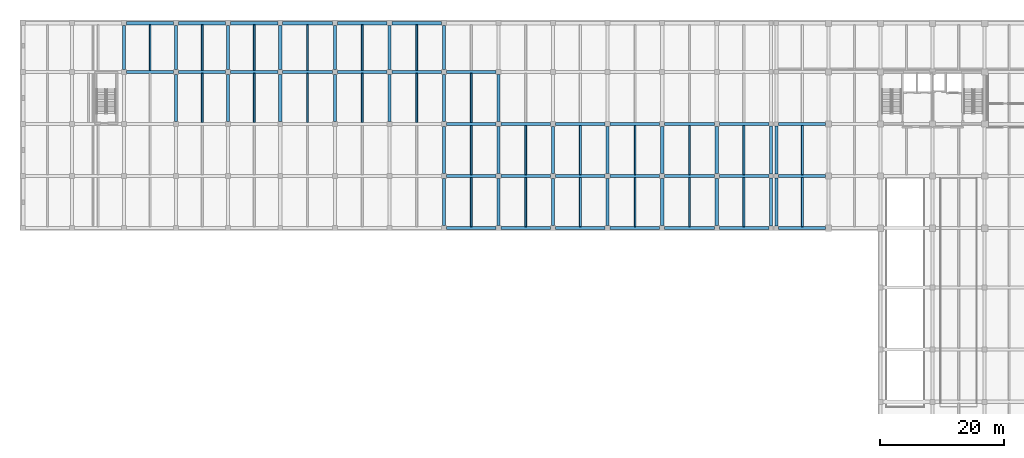
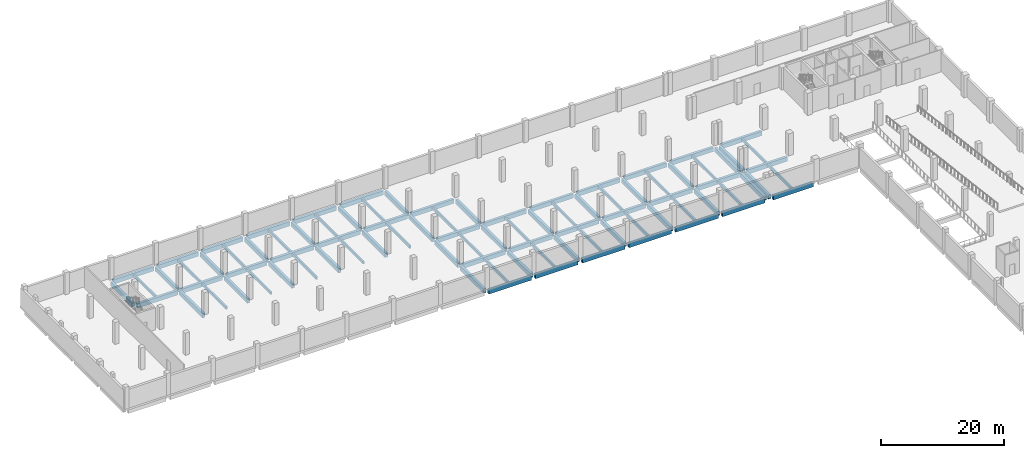
# One storey, part 5 of 17: 90 beams.
"""IFC4 building model written with IfcOpenShell, lengths in metres."""

from ifc_helpers import new_model, si_unit, direction, frame, origin, origin_2d, place, context, subcontext, project, spatial, rectangle, extrude, material, material_profile, profile_set, type_object, element, save


model = new_model("IFC4")

# Units and contexts
model_context = context("Model", 3, precision=1e-05, world=origin(), true_north=direction((0.0, 1.0)))
body_context = subcontext(model_context, "Body", "Model", "MODEL_VIEW")
ifc_project = project(units=[si_unit("LENGTHUNIT", "METRE"), si_unit("AREAUNIT", "SQUARE_METRE"), si_unit("VOLUMEUNIT", "CUBIC_METRE"), si_unit("PLANEANGLEUNIT", "RADIAN"), si_unit("MASSUNIT", "GRAM", prefix="KILO")], contexts=[model_context])

# Site, building, storey
site_placement = place(None, origin())
site = spatial("IfcSite", under=ifc_project, at=site_placement, CompositionType="ELEMENT")
building_placement = place(site_placement, origin())
building = spatial("IfcBuilding", under=site, at=building_placement, Name="Brinegate Botanical Conservatory", CompositionType="ELEMENT")
storey_placement = place(building_placement, frame((0.0, 0.0, -4.800048828125)))
storey = spatial("IfcBuildingStorey", under=building, at=storey_placement, Name="B1", CompositionType="ELEMENT", Elevation=-4.800048828125)

# Beams
ifc_material = material(Name="Concrete C40/50", Category="concrete")
ifc_material_profile_1 = material_profile(ifc_material, rectangle(XDim=0.5, YDim=0.85009765625, at=origin_2d()), Name="RC BM 500x850")
ifc_profile_set_1 = profile_set([ifc_material_profile_1], Name="Concrete C40/50")
beam_type_1 = type_object("IfcBeamType", Name="Beam_BM-B1", PredefinedType="BEAM", material=ifc_profile_set_1)
for number, where, z_axis, x_axis, name in (
    (1, (68.800048828125, 78.39990234375, -0.744873046875), (1.0, 0.0, 0.0), (0.0, 1.0, 0.0), "Beam BM-B1 B1 K:9-10"),
    (2, (77.60009765625, 78.39990234375, -0.744873046875), (1.0, 0.0, 0.0), (0.0, 1.0, 0.0), "Beam BM-B1 B1 K:10-11"),
    (3, (86.39990234375, 78.39990234375, -0.744873046875), (1.0, 0.0, 0.0), (0.0, 1.0, 0.0), "Beam BM-B1 B1 K:11-12"),
    (4, (95.199951171875, 78.39990234375, -0.744873046875), (1.0, 0.0, 0.0), (0.0, 1.0, 0.0), "Beam BM-B1 B1 K:12-13"),
    (5, (104.0, 78.39990234375, -0.744873046875), (1.0, 0.0, 0.0), (0.0, 1.0, 0.0), "Beam BM-B1 B1 K:13-14"),
    (6, (112.800048828125, 78.39990234375, -0.744873046875), (1.0, 0.0, 0.0), (0.0, 1.0, 0.0), "Beam BM-B1 B1 K:14-15"),
):
    element("IfcBeam", number, at=place(storey_placement, frame(where, z_axis=z_axis, x_axis=x_axis)), inside=storey, type_object=beam_type_1, Name=name, PredefinedType="BEAM", context=body_context, shape_type="SweptSolid", body=[
        extrude(rectangle(XDim=0.5, YDim=0.85009765625, at=origin_2d()), origin(), (0.0, 0.0, 1.0), 8.0),
    ])
beam_1_placement = place(storey_placement, frame((122.35009765625, 78.39990234375, -0.744873046875), z_axis=(1.0, 0.0, 0.0), x_axis=(0.0, 1.0, 0.0)))
element("IfcBeam", 7, at=beam_1_placement, inside=storey, type_object=beam_type_1, Name="Beam BM-B1 B1 K:16-17", PredefinedType="BEAM", context=body_context, shape_type="SweptSolid", body=[
    extrude(rectangle(XDim=0.5, YDim=0.85009765625, at=origin_2d()), origin(), (0.0, 0.0, 1.0), 7.5498046875),
])
for number, where, z_axis, x_axis, name in (
    (8, (68.800048828125, 86.800048828125, -0.744873046875), (1.0, 0.0, 0.0), (0.0, 1.0, 0.0), "Beam BM-B1 B1 L:9-10"),
    (9, (77.60009765625, 86.800048828125, -0.744873046875), (1.0, 0.0, 0.0), (0.0, 1.0, 0.0), "Beam BM-B1 B1 L:10-11"),
    (10, (86.39990234375, 86.800048828125, -0.744873046875), (1.0, 0.0, 0.0), (0.0, 1.0, 0.0), "Beam BM-B1 B1 L:11-12"),
    (11, (95.199951171875, 86.800048828125, -0.744873046875), (1.0, 0.0, 0.0), (0.0, 1.0, 0.0), "Beam BM-B1 B1 L:12-13"),
    (12, (104.0, 86.800048828125, -0.744873046875), (1.0, 0.0, 0.0), (0.0, 1.0, 0.0), "Beam BM-B1 B1 L:13-14"),
    (13, (112.800048828125, 86.800048828125, -0.744873046875), (1.0, 0.0, 0.0), (0.0, 1.0, 0.0), "Beam BM-B1 B1 L:14-15"),
):
    element("IfcBeam", number, at=place(storey_placement, frame(where, z_axis=z_axis, x_axis=x_axis)), inside=storey, type_object=beam_type_1, Name=name, PredefinedType="BEAM", context=body_context, shape_type="SweptSolid", body=[
        extrude(rectangle(XDim=0.5, YDim=0.85009765625, at=origin_2d()), origin(), (0.0, 0.0, 1.0), 8.0),
    ])
beam_2_placement = place(storey_placement, frame((122.35009765625, 86.800048828125, -0.744873046875), z_axis=(1.0, 0.0, 0.0), x_axis=(0.0, 1.0, 0.0)))
element("IfcBeam", 14, at=beam_2_placement, inside=storey, type_object=beam_type_1, Name="Beam BM-B1 B1 L:16-17", PredefinedType="BEAM", context=body_context, shape_type="SweptSolid", body=[
    extrude(rectangle(XDim=0.5, YDim=0.85009765625, at=origin_2d()), origin(), (0.0, 0.0, 1.0), 7.5498046875),
])
for number, where, z_axis, x_axis, name in (
    (15, (68.800048828125, 95.199951171875, -0.744873046875), (1.0, 0.0, 0.0), (0.0, 1.0, 0.0), "Beam BM-B1 B1 M:9-10"),
    (16, (77.60009765625, 95.199951171875, -0.744873046875), (1.0, 0.0, 0.0), (0.0, 1.0, 0.0), "Beam BM-B1 B1 M:10-11"),
    (17, (86.39990234375, 95.199951171875, -0.744873046875), (1.0, 0.0, 0.0), (0.0, 1.0, 0.0), "Beam BM-B1 B1 M:11-12"),
    (18, (95.199951171875, 95.199951171875, -0.744873046875), (1.0, 0.0, 0.0), (0.0, 1.0, 0.0), "Beam BM-B1 B1 M:12-13"),
    (19, (104.0, 95.199951171875, -0.744873046875), (1.0, 0.0, 0.0), (0.0, 1.0, 0.0), "Beam BM-B1 B1 M:13-14"),
    (20, (112.800048828125, 95.199951171875, -0.744873046875), (1.0, 0.0, 0.0), (0.0, 1.0, 0.0), "Beam BM-B1 B1 M:14-15"),
):
    element("IfcBeam", number, at=place(storey_placement, frame(where, z_axis=z_axis, x_axis=x_axis)), inside=storey, type_object=beam_type_1, Name=name, PredefinedType="BEAM", context=body_context, shape_type="SweptSolid", body=[
        extrude(rectangle(XDim=0.5, YDim=0.85009765625, at=origin_2d()), origin(), (0.0, 0.0, 1.0), 8.0),
    ])
beam_3_placement = place(storey_placement, frame((122.35009765625, 95.199951171875, -0.744873046875), z_axis=(1.0, 0.0, 0.0), x_axis=(0.0, 1.0, 0.0)))
element("IfcBeam", 21, at=beam_3_placement, inside=storey, type_object=beam_type_1, Name="Beam BM-B1 B1 M:16-17", PredefinedType="BEAM", context=body_context, shape_type="SweptSolid", body=[
    extrude(rectangle(XDim=0.5, YDim=0.85009765625, at=origin_2d()), origin(), (0.0, 0.0, 1.0), 7.5498046875),
])
beam_4_placement = place(storey_placement, frame((17.199951171875, 103.60009765625, -0.744873046875), z_axis=(1.0, 0.0, 0.0), x_axis=(0.0, 1.0, 0.0)))
element("IfcBeam", 22, at=beam_4_placement, inside=storey, type_object=beam_type_1, Name="Beam BM-B1 B1 N:3-4", PredefinedType="BEAM", context=body_context, shape_type="SweptSolid", body=[
    extrude(rectangle(XDim=0.5, YDim=0.85009765625, at=origin_2d()), origin(), (0.0, 0.0, 1.0), 7.60009765625),
])
beam_5_placement = place(storey_placement, frame((25.60009765625, 103.60009765625, -0.744873046875), z_axis=(1.0, 0.0, 0.0), x_axis=(0.0, 1.0, 0.0)))
element("IfcBeam", 23, at=beam_5_placement, inside=storey, type_object=beam_type_1, Name="Beam BM-B1 B1 N:4-5", PredefinedType="BEAM", context=body_context, shape_type="SweptSolid", body=[
    extrude(rectangle(XDim=0.5, YDim=0.85009765625, at=origin_2d()), origin(), (0.0, 0.0, 1.0), 7.599853515625),
])
beam_6_placement = place(storey_placement, frame((34.0, 103.60009765625, -0.744873046875), z_axis=(1.0, 0.0, 0.0), x_axis=(0.0, 1.0, 0.0)))
element("IfcBeam", 24, at=beam_6_placement, inside=storey, type_object=beam_type_1, Name="Beam BM-B1 B1 N:5-6", PredefinedType="BEAM", context=body_context, shape_type="SweptSolid", body=[
    extrude(rectangle(XDim=0.5, YDim=0.85009765625, at=origin_2d()), origin(), (0.0, 0.0, 1.0), 7.60009765625),
])
for number, where, z_axis, x_axis, name in (
    (25, (42.39990234375, 103.60009765625, -0.744873046875), (1.0, 0.0, 0.0), (0.0, 1.0, 0.0), "Beam BM-B1 B1 N:6-7"),
    (26, (51.199951171875, 103.60009765625, -0.744873046875), (1.0, 0.0, 0.0), (0.0, 1.0, 0.0), "Beam BM-B1 B1 N:7-8"),
    (27, (60.0, 103.60009765625, -0.744873046875), (1.0, 0.0, 0.0), (0.0, 1.0, 0.0), "Beam BM-B1 B1 N:8-9"),
    (28, (68.800048828125, 103.60009765625, -0.744873046875), (1.0, 0.0, 0.0), (0.0, 1.0, 0.0), "Beam BM-B1 B1 N:9-10"),
):
    element("IfcBeam", number, at=place(storey_placement, frame(where, z_axis=z_axis, x_axis=x_axis)), inside=storey, type_object=beam_type_1, Name=name, PredefinedType="BEAM", context=body_context, shape_type="SweptSolid", body=[
        extrude(rectangle(XDim=0.5, YDim=0.85009765625, at=origin_2d()), origin(), (0.0, 0.0, 1.0), 8.0),
    ])
beam_7_placement = place(storey_placement, frame((17.199951171875, 111.449951171875, -0.744873046875), z_axis=(1.0, 0.0, 0.0), x_axis=(0.0, 1.0, 0.0)))
element("IfcBeam", 29, at=beam_7_placement, inside=storey, type_object=beam_type_1, Name="Beam BM-B1 B1 P:3-4", PredefinedType="BEAM", context=body_context, shape_type="SweptSolid", body=[
    extrude(rectangle(XDim=0.5, YDim=0.85009765625, at=origin_2d()), origin(), (0.0, 0.0, 1.0), 7.60009765625),
])
beam_8_placement = place(storey_placement, frame((25.60009765625, 111.449951171875, -0.744873046875), z_axis=(1.0, 0.0, 0.0), x_axis=(0.0, 1.0, 0.0)))
element("IfcBeam", 30, at=beam_8_placement, inside=storey, type_object=beam_type_1, Name="Beam BM-B1 B1 P:4-5", PredefinedType="BEAM", context=body_context, shape_type="SweptSolid", body=[
    extrude(rectangle(XDim=0.5, YDim=0.85009765625, at=origin_2d()), origin(), (0.0, 0.0, 1.0), 7.599853515625),
])
beam_9_placement = place(storey_placement, frame((34.0, 111.449951171875, -0.744873046875), z_axis=(1.0, 0.0, 0.0), x_axis=(0.0, 1.0, 0.0)))
element("IfcBeam", 31, at=beam_9_placement, inside=storey, type_object=beam_type_1, Name="Beam BM-B1 B1 P:5-6", PredefinedType="BEAM", context=body_context, shape_type="SweptSolid", body=[
    extrude(rectangle(XDim=0.5, YDim=0.85009765625, at=origin_2d()), origin(), (0.0, 0.0, 1.0), 7.60009765625),
])
for number, where, z_axis, x_axis, name in (
    (32, (42.39990234375, 111.449951171875, -0.744873046875), (1.0, 0.0, 0.0), (0.0, 1.0, 0.0), "Beam BM-B1 B1 P:6-7"),
    (33, (51.199951171875, 111.449951171875, -0.744873046875), (1.0, 0.0, 0.0), (0.0, 1.0, 0.0), "Beam BM-B1 B1 P:7-8"),
    (34, (60.0, 111.449951171875, -0.744873046875), (1.0, 0.0, 0.0), (0.0, 1.0, 0.0), "Beam BM-B1 B1 P:8-9"),
):
    element("IfcBeam", number, at=place(storey_placement, frame(where, z_axis=z_axis, x_axis=x_axis)), inside=storey, type_object=beam_type_1, Name=name, PredefinedType="BEAM", context=body_context, shape_type="SweptSolid", body=[
        extrude(rectangle(XDim=0.5, YDim=0.85009765625, at=origin_2d()), origin(), (0.0, 0.0, 1.0), 8.0),
    ])
beam_10_placement = place(storey_placement, frame((16.800048828125, 104.0, -0.744873046875), z_axis=(0.0, 1.0, 0.0), x_axis=(-1.0, 0.0, 0.0)))
element("IfcBeam", 35, at=beam_10_placement, inside=storey, type_object=beam_type_1, Name="Beam BM-B1 B1 3:N-P", PredefinedType="BEAM", context=body_context, shape_type="SweptSolid", body=[
    extrude(rectangle(XDim=0.5, YDim=0.85009765625, at=origin_2d()), origin(), (0.0, 0.0, 1.0), 7.050048828125),
])
beam_11_placement = place(storey_placement, frame((25.199951171875, 95.60009765625, -0.744873046875), z_axis=(0.0, 1.0, 0.0), x_axis=(-1.0, 0.0, 0.0)))
element("IfcBeam", 36, at=beam_11_placement, inside=storey, type_object=beam_type_1, Name="Beam BM-B1 B1 4:M-N", PredefinedType="BEAM", context=body_context, shape_type="SweptSolid", body=[
    extrude(rectangle(XDim=0.5, YDim=0.85009765625, at=origin_2d()), origin(), (0.0, 0.0, 1.0), 7.599853515625),
])
beam_12_placement = place(storey_placement, frame((25.199951171875, 104.0, -0.744873046875), z_axis=(0.0, 1.0, 0.0), x_axis=(-1.0, 0.0, 0.0)))
element("IfcBeam", 37, at=beam_12_placement, inside=storey, type_object=beam_type_1, Name="Beam BM-B1 B1 4:N-P", PredefinedType="BEAM", context=body_context, shape_type="SweptSolid", body=[
    extrude(rectangle(XDim=0.5, YDim=0.85009765625, at=origin_2d()), origin(), (0.0, 0.0, 1.0), 7.050048828125),
])
beam_13_placement = place(storey_placement, frame((33.60009765625, 95.60009765625, -0.744873046875), z_axis=(0.0, 1.0, 0.0), x_axis=(-1.0, 0.0, 0.0)))
element("IfcBeam", 38, at=beam_13_placement, inside=storey, type_object=beam_type_1, Name="Beam BM-B1 B1 5:M-N", PredefinedType="BEAM", context=body_context, shape_type="SweptSolid", body=[
    extrude(rectangle(XDim=0.5, YDim=0.85009765625, at=origin_2d()), origin(), (0.0, 0.0, 1.0), 7.599853515625),
])
beam_14_placement = place(storey_placement, frame((33.60009765625, 104.0, -0.744873046875), z_axis=(0.0, 1.0, 0.0), x_axis=(-1.0, 0.0, 0.0)))
element("IfcBeam", 39, at=beam_14_placement, inside=storey, type_object=beam_type_1, Name="Beam BM-B1 B1 5:N-P", PredefinedType="BEAM", context=body_context, shape_type="SweptSolid", body=[
    extrude(rectangle(XDim=0.5, YDim=0.85009765625, at=origin_2d()), origin(), (0.0, 0.0, 1.0), 7.050048828125),
])
beam_15_placement = place(storey_placement, frame((42.0, 95.60009765625, -0.744873046875), z_axis=(0.0, 1.0, 0.0), x_axis=(-1.0, 0.0, 0.0)))
element("IfcBeam", 40, at=beam_15_placement, inside=storey, type_object=beam_type_1, Name="Beam BM-B1 B1 6:M-N", PredefinedType="BEAM", context=body_context, shape_type="SweptSolid", body=[
    extrude(rectangle(XDim=0.5, YDim=0.85009765625, at=origin_2d()), origin(), (0.0, 0.0, 1.0), 7.599853515625),
])
beam_16_placement = place(storey_placement, frame((42.0, 104.0, -0.744873046875), z_axis=(0.0, 1.0, 0.0), x_axis=(-1.0, 0.0, 0.0)))
element("IfcBeam", 41, at=beam_16_placement, inside=storey, type_object=beam_type_1, Name="Beam BM-B1 B1 6:N-P", PredefinedType="BEAM", context=body_context, shape_type="SweptSolid", body=[
    extrude(rectangle(XDim=0.5, YDim=0.85009765625, at=origin_2d()), origin(), (0.0, 0.0, 1.0), 7.050048828125),
])
beam_17_placement = place(storey_placement, frame((50.800048828125, 95.60009765625, -0.744873046875), z_axis=(0.0, 1.0, 0.0), x_axis=(-1.0, 0.0, 0.0)))
element("IfcBeam", 42, at=beam_17_placement, inside=storey, type_object=beam_type_1, Name="Beam BM-B1 B1 7:M-N", PredefinedType="BEAM", context=body_context, shape_type="SweptSolid", body=[
    extrude(rectangle(XDim=0.5, YDim=0.85009765625, at=origin_2d()), origin(), (0.0, 0.0, 1.0), 7.599853515625),
])
beam_18_placement = place(storey_placement, frame((50.800048828125, 104.0, -0.744873046875), z_axis=(0.0, 1.0, 0.0), x_axis=(-1.0, 0.0, 0.0)))
element("IfcBeam", 43, at=beam_18_placement, inside=storey, type_object=beam_type_1, Name="Beam BM-B1 B1 7:N-P", PredefinedType="BEAM", context=body_context, shape_type="SweptSolid", body=[
    extrude(rectangle(XDim=0.5, YDim=0.85009765625, at=origin_2d()), origin(), (0.0, 0.0, 1.0), 7.050048828125),
])
beam_19_placement = place(storey_placement, frame((59.60009765625, 95.60009765625, -0.744873046875), z_axis=(0.0, 1.0, 0.0), x_axis=(-1.0, 0.0, 0.0)))
element("IfcBeam", 44, at=beam_19_placement, inside=storey, type_object=beam_type_1, Name="Beam BM-B1 B1 8:M-N", PredefinedType="BEAM", context=body_context, shape_type="SweptSolid", body=[
    extrude(rectangle(XDim=0.5, YDim=0.85009765625, at=origin_2d()), origin(), (0.0, 0.0, 1.0), 7.599853515625),
])
beam_20_placement = place(storey_placement, frame((59.60009765625, 104.0, -0.744873046875), z_axis=(0.0, 1.0, 0.0), x_axis=(-1.0, 0.0, 0.0)))
element("IfcBeam", 45, at=beam_20_placement, inside=storey, type_object=beam_type_1, Name="Beam BM-B1 B1 8:N-P", PredefinedType="BEAM", context=body_context, shape_type="SweptSolid", body=[
    extrude(rectangle(XDim=0.5, YDim=0.85009765625, at=origin_2d()), origin(), (0.0, 0.0, 1.0), 7.050048828125),
])
beam_21_placement = place(storey_placement, frame((68.39990234375, 78.800048828125, -0.744873046875), z_axis=(0.0, 1.0, 0.0), x_axis=(-1.0, 0.0, 0.0)))
element("IfcBeam", 46, at=beam_21_placement, inside=storey, type_object=beam_type_1, Name="Beam BM-B1 B1 9:K-L", PredefinedType="BEAM", context=body_context, shape_type="SweptSolid", body=[
    extrude(rectangle(XDim=0.5, YDim=0.85009765625, at=origin_2d()), origin(), (0.0, 0.0, 1.0), 7.599853515625),
])
beam_22_placement = place(storey_placement, frame((68.39990234375, 87.199951171875, -0.744873046875), z_axis=(0.0, 1.0, 0.0), x_axis=(-1.0, 0.0, 0.0)))
element("IfcBeam", 47, at=beam_22_placement, inside=storey, type_object=beam_type_1, Name="Beam BM-B1 B1 9:L-M", PredefinedType="BEAM", context=body_context, shape_type="SweptSolid", body=[
    extrude(rectangle(XDim=0.5, YDim=0.85009765625, at=origin_2d()), origin(), (0.0, 0.0, 1.0), 7.60009765625),
])
beam_23_placement = place(storey_placement, frame((68.39990234375, 95.60009765625, -0.744873046875), z_axis=(0.0, 1.0, 0.0), x_axis=(-1.0, 0.0, 0.0)))
element("IfcBeam", 48, at=beam_23_placement, inside=storey, type_object=beam_type_1, Name="Beam BM-B1 B1 9:M-N", PredefinedType="BEAM", context=body_context, shape_type="SweptSolid", body=[
    extrude(rectangle(XDim=0.5, YDim=0.85009765625, at=origin_2d()), origin(), (0.0, 0.0, 1.0), 7.599853515625),
])
beam_24_placement = place(storey_placement, frame((68.39990234375, 104.0, -0.744873046875), z_axis=(0.0, 1.0, 0.0), x_axis=(-1.0, 0.0, 0.0)))
element("IfcBeam", 49, at=beam_24_placement, inside=storey, type_object=beam_type_1, Name="Beam BM-B1 B1 9:N-P", PredefinedType="BEAM", context=body_context, shape_type="SweptSolid", body=[
    extrude(rectangle(XDim=0.5, YDim=0.85009765625, at=origin_2d()), origin(), (0.0, 0.0, 1.0), 7.050048828125),
])
beam_25_placement = place(storey_placement, frame((77.199951171875, 78.800048828125, -0.744873046875), z_axis=(0.0, 1.0, 0.0), x_axis=(-1.0, 0.0, 0.0)))
element("IfcBeam", 50, at=beam_25_placement, inside=storey, type_object=beam_type_1, Name="Beam BM-B1 B1 10:K-L", PredefinedType="BEAM", context=body_context, shape_type="SweptSolid", body=[
    extrude(rectangle(XDim=0.5, YDim=0.85009765625, at=origin_2d()), origin(), (0.0, 0.0, 1.0), 7.599853515625),
])
beam_26_placement = place(storey_placement, frame((77.199951171875, 87.199951171875, -0.744873046875), z_axis=(0.0, 1.0, 0.0), x_axis=(-1.0, 0.0, 0.0)))
element("IfcBeam", 51, at=beam_26_placement, inside=storey, type_object=beam_type_1, Name="Beam BM-B1 B1 10:L-M", PredefinedType="BEAM", context=body_context, shape_type="SweptSolid", body=[
    extrude(rectangle(XDim=0.5, YDim=0.85009765625, at=origin_2d()), origin(), (0.0, 0.0, 1.0), 7.60009765625),
])
for number, where, z_axis, x_axis, name in (
    (52, (77.199951171875, 95.60009765625, -0.744873046875), (0.0, 1.0, 0.0), (-1.0, 0.0, 0.0), "Beam BM-B1 B1 10:M-N"),
    (53, (86.0, 78.800048828125, -0.744873046875), (0.0, 1.0, 0.0), (-1.0, 0.0, 0.0), "Beam BM-B1 B1 11:K-L"),
):
    element("IfcBeam", number, at=place(storey_placement, frame(where, z_axis=z_axis, x_axis=x_axis)), inside=storey, type_object=beam_type_1, Name=name, PredefinedType="BEAM", context=body_context, shape_type="SweptSolid", body=[
        extrude(rectangle(XDim=0.5, YDim=0.85009765625, at=origin_2d()), origin(), (0.0, 0.0, 1.0), 7.599853515625),
    ])
beam_27_placement = place(storey_placement, frame((86.0, 87.199951171875, -0.744873046875), z_axis=(0.0, 1.0, 0.0), x_axis=(-1.0, 0.0, 0.0)))
element("IfcBeam", 54, at=beam_27_placement, inside=storey, type_object=beam_type_1, Name="Beam BM-B1 B1 11:L-M", PredefinedType="BEAM", context=body_context, shape_type="SweptSolid", body=[
    extrude(rectangle(XDim=0.5, YDim=0.85009765625, at=origin_2d()), origin(), (0.0, 0.0, 1.0), 7.60009765625),
])
beam_28_placement = place(storey_placement, frame((94.800048828125, 78.800048828125, -0.744873046875), z_axis=(0.0, 1.0, 0.0), x_axis=(-1.0, 0.0, 0.0)))
element("IfcBeam", 55, at=beam_28_placement, inside=storey, type_object=beam_type_1, Name="Beam BM-B1 B1 12:K-L", PredefinedType="BEAM", context=body_context, shape_type="SweptSolid", body=[
    extrude(rectangle(XDim=0.5, YDim=0.85009765625, at=origin_2d()), origin(), (0.0, 0.0, 1.0), 7.599853515625),
])
beam_29_placement = place(storey_placement, frame((94.800048828125, 87.199951171875, -0.744873046875), z_axis=(0.0, 1.0, 0.0), x_axis=(-1.0, 0.0, 0.0)))
element("IfcBeam", 56, at=beam_29_placement, inside=storey, type_object=beam_type_1, Name="Beam BM-B1 B1 12:L-M", PredefinedType="BEAM", context=body_context, shape_type="SweptSolid", body=[
    extrude(rectangle(XDim=0.5, YDim=0.85009765625, at=origin_2d()), origin(), (0.0, 0.0, 1.0), 7.60009765625),
])
beam_30_placement = place(storey_placement, frame((103.60009765625, 78.800048828125, -0.744873046875), z_axis=(0.0, 1.0, 0.0), x_axis=(-1.0, 0.0, 0.0)))
element("IfcBeam", 57, at=beam_30_placement, inside=storey, type_object=beam_type_1, Name="Beam BM-B1 B1 13:K-L", PredefinedType="BEAM", context=body_context, shape_type="SweptSolid", body=[
    extrude(rectangle(XDim=0.5, YDim=0.85009765625, at=origin_2d()), origin(), (0.0, 0.0, 1.0), 7.599853515625),
])
beam_31_placement = place(storey_placement, frame((103.60009765625, 87.199951171875, -0.744873046875), z_axis=(0.0, 1.0, 0.0), x_axis=(-1.0, 0.0, 0.0)))
element("IfcBeam", 58, at=beam_31_placement, inside=storey, type_object=beam_type_1, Name="Beam BM-B1 B1 13:L-M", PredefinedType="BEAM", context=body_context, shape_type="SweptSolid", body=[
    extrude(rectangle(XDim=0.5, YDim=0.85009765625, at=origin_2d()), origin(), (0.0, 0.0, 1.0), 7.60009765625),
])
beam_32_placement = place(storey_placement, frame((112.39990234375, 78.800048828125, -0.744873046875), z_axis=(0.0, 1.0, 0.0), x_axis=(-1.0, 0.0, 0.0)))
element("IfcBeam", 59, at=beam_32_placement, inside=storey, type_object=beam_type_1, Name="Beam BM-B1 B1 14:K-L", PredefinedType="BEAM", context=body_context, shape_type="SweptSolid", body=[
    extrude(rectangle(XDim=0.5, YDim=0.85009765625, at=origin_2d()), origin(), (0.0, 0.0, 1.0), 7.599853515625),
])
beam_33_placement = place(storey_placement, frame((112.39990234375, 87.199951171875, -0.744873046875), z_axis=(0.0, 1.0, 0.0), x_axis=(-1.0, 0.0, 0.0)))
element("IfcBeam", 60, at=beam_33_placement, inside=storey, type_object=beam_type_1, Name="Beam BM-B1 B1 14:L-M", PredefinedType="BEAM", context=body_context, shape_type="SweptSolid", body=[
    extrude(rectangle(XDim=0.5, YDim=0.85009765625, at=origin_2d()), origin(), (0.0, 0.0, 1.0), 7.60009765625),
])
beam_34_placement = place(storey_placement, frame((121.14990234375, 78.75, -0.744873046875), z_axis=(0.0, 1.0, 0.0), x_axis=(-1.0, 0.0, 0.0)))
element("IfcBeam", 61, at=beam_34_placement, inside=storey, type_object=beam_type_1, Name="Beam BM-B1 B1 15:K-L", PredefinedType="BEAM", context=body_context, shape_type="SweptSolid", body=[
    extrude(rectangle(XDim=0.5, YDim=0.85009765625, at=origin_2d()), origin(), (0.0, 0.0, 1.0), 7.699951171875),
])
beam_35_placement = place(storey_placement, frame((121.14990234375, 87.14990234375, -0.744873046875), z_axis=(0.0, 1.0, 0.0), x_axis=(-1.0, 0.0, 0.0)))
element("IfcBeam", 62, at=beam_35_placement, inside=storey, type_object=beam_type_1, Name="Beam BM-B1 B1 15:L-M", PredefinedType="BEAM", context=body_context, shape_type="SweptSolid", body=[
    extrude(rectangle(XDim=0.5, YDim=0.85009765625, at=origin_2d()), origin(), (0.0, 0.0, 1.0), 7.7001953125),
])
beam_36_placement = place(storey_placement, frame((122.0, 78.75, -0.744873046875), z_axis=(0.0, 1.0, 0.0), x_axis=(-1.0, 0.0, 0.0)))
element("IfcBeam", 63, at=beam_36_placement, inside=storey, type_object=beam_type_1, Name="Beam BM-B1 B1 16:K-L", PredefinedType="BEAM", context=body_context, shape_type="SweptSolid", body=[
    extrude(rectangle(XDim=0.5, YDim=0.85009765625, at=origin_2d()), origin(), (0.0, 0.0, 1.0), 7.699951171875),
])
beam_37_placement = place(storey_placement, frame((122.0, 87.14990234375, -0.744873046875), z_axis=(0.0, 1.0, 0.0), x_axis=(-1.0, 0.0, 0.0)))
element("IfcBeam", 64, at=beam_37_placement, inside=storey, type_object=beam_type_1, Name="Beam BM-B1 B1 16:L-M", PredefinedType="BEAM", context=body_context, shape_type="SweptSolid", body=[
    extrude(rectangle(XDim=0.5, YDim=0.85009765625, at=origin_2d()), origin(), (0.0, 0.0, 1.0), 7.7001953125),
])
ifc_material_profile_2 = material_profile(ifc_material, rectangle(XDim=0.300048828125, YDim=0.550048828125, at=origin_2d()), Name="RC JST 300x550")
ifc_profile_set_2 = profile_set([ifc_material_profile_2], Name="Concrete C40/50")
beam_type_2 = type_object("IfcBeamType", Name="Beam_JS-C1", PredefinedType="JOIST", material=ifc_profile_set_2)
beam_38_placement = place(storey_placement, frame((21.0, 103.85009765625, -0.594970703125), z_axis=(0.0, 1.0, 0.0), x_axis=(-1.0, 0.0, 0.0)))
element("IfcBeam", 65, at=beam_38_placement, inside=storey, type_object=beam_type_2, Name="Floor joist JS-C1 B1 bay 3.13", PredefinedType="JOIST", context=body_context, shape_type="SweptSolid", body=[
    extrude(rectangle(XDim=0.300048828125, YDim=0.550048828125, at=origin_2d()), origin(), (0.0, 0.0, 1.0), 7.349853515625),
])
beam_39_placement = place(storey_placement, frame((29.39990234375, 95.449951171875, -0.594970703125), z_axis=(0.0, 1.0, 0.0), x_axis=(-1.0, 0.0, 0.0)))
element("IfcBeam", 66, at=beam_39_placement, inside=storey, type_object=beam_type_2, Name="Floor joist JS-C1 B1 bay 4.12", PredefinedType="JOIST", context=body_context, shape_type="SweptSolid", body=[
    extrude(rectangle(XDim=0.300048828125, YDim=0.550048828125, at=origin_2d()), origin(), (0.0, 0.0, 1.0), 7.900146484375),
])
beam_40_placement = place(storey_placement, frame((29.39990234375, 103.85009765625, -0.594970703125), z_axis=(0.0, 1.0, 0.0), x_axis=(-1.0, 0.0, 0.0)))
element("IfcBeam", 67, at=beam_40_placement, inside=storey, type_object=beam_type_2, Name="Floor joist JS-C1 B1 bay 4.13", PredefinedType="JOIST", context=body_context, shape_type="SweptSolid", body=[
    extrude(rectangle(XDim=0.300048828125, YDim=0.550048828125, at=origin_2d()), origin(), (0.0, 0.0, 1.0), 7.349853515625),
])
beam_41_placement = place(storey_placement, frame((37.800048828125, 95.449951171875, -0.594970703125), z_axis=(0.0, 1.0, 0.0), x_axis=(-1.0, 0.0, 0.0)))
element("IfcBeam", 68, at=beam_41_placement, inside=storey, type_object=beam_type_2, Name="Floor joist JS-C1 B1 bay 5.12", PredefinedType="JOIST", context=body_context, shape_type="SweptSolid", body=[
    extrude(rectangle(XDim=0.300048828125, YDim=0.550048828125, at=origin_2d()), origin(), (0.0, 0.0, 1.0), 7.900146484375),
])
beam_42_placement = place(storey_placement, frame((37.800048828125, 103.85009765625, -0.594970703125), z_axis=(0.0, 1.0, 0.0), x_axis=(-1.0, 0.0, 0.0)))
element("IfcBeam", 69, at=beam_42_placement, inside=storey, type_object=beam_type_2, Name="Floor joist JS-C1 B1 bay 5.13", PredefinedType="JOIST", context=body_context, shape_type="SweptSolid", body=[
    extrude(rectangle(XDim=0.300048828125, YDim=0.550048828125, at=origin_2d()), origin(), (0.0, 0.0, 1.0), 7.349853515625),
])
beam_43_placement = place(storey_placement, frame((46.39990234375, 95.449951171875, -0.594970703125), z_axis=(0.0, 1.0, 0.0), x_axis=(-1.0, 0.0, 0.0)))
element("IfcBeam", 70, at=beam_43_placement, inside=storey, type_object=beam_type_2, Name="Floor joist JS-C1 B1 bay 6.12", PredefinedType="JOIST", context=body_context, shape_type="SweptSolid", body=[
    extrude(rectangle(XDim=0.300048828125, YDim=0.550048828125, at=origin_2d()), origin(), (0.0, 0.0, 1.0), 7.900146484375),
])
beam_44_placement = place(storey_placement, frame((46.39990234375, 103.85009765625, -0.594970703125), z_axis=(0.0, 1.0, 0.0), x_axis=(-1.0, 0.0, 0.0)))
element("IfcBeam", 71, at=beam_44_placement, inside=storey, type_object=beam_type_2, Name="Floor joist JS-C1 B1 bay 6.13", PredefinedType="JOIST", context=body_context, shape_type="SweptSolid", body=[
    extrude(rectangle(XDim=0.300048828125, YDim=0.550048828125, at=origin_2d()), origin(), (0.0, 0.0, 1.0), 7.349853515625),
])
beam_45_placement = place(storey_placement, frame((55.199951171875, 95.449951171875, -0.594970703125), z_axis=(0.0, 1.0, 0.0), x_axis=(-1.0, 0.0, 0.0)))
element("IfcBeam", 72, at=beam_45_placement, inside=storey, type_object=beam_type_2, Name="Floor joist JS-C1 B1 bay 7.12", PredefinedType="JOIST", context=body_context, shape_type="SweptSolid", body=[
    extrude(rectangle(XDim=0.300048828125, YDim=0.550048828125, at=origin_2d()), origin(), (0.0, 0.0, 1.0), 7.900146484375),
])
beam_46_placement = place(storey_placement, frame((55.199951171875, 103.85009765625, -0.594970703125), z_axis=(0.0, 1.0, 0.0), x_axis=(-1.0, 0.0, 0.0)))
element("IfcBeam", 73, at=beam_46_placement, inside=storey, type_object=beam_type_2, Name="Floor joist JS-C1 B1 bay 7.13", PredefinedType="JOIST", context=body_context, shape_type="SweptSolid", body=[
    extrude(rectangle(XDim=0.300048828125, YDim=0.550048828125, at=origin_2d()), origin(), (0.0, 0.0, 1.0), 7.349853515625),
])
beam_47_placement = place(storey_placement, frame((64.0, 95.449951171875, -0.594970703125), z_axis=(0.0, 1.0, 0.0), x_axis=(-1.0, 0.0, 0.0)))
element("IfcBeam", 74, at=beam_47_placement, inside=storey, type_object=beam_type_2, Name="Floor joist JS-C1 B1 bay 8.12", PredefinedType="JOIST", context=body_context, shape_type="SweptSolid", body=[
    extrude(rectangle(XDim=0.300048828125, YDim=0.550048828125, at=origin_2d()), origin(), (0.0, 0.0, 1.0), 7.900146484375),
])
beam_48_placement = place(storey_placement, frame((64.0, 103.85009765625, -0.594970703125), z_axis=(0.0, 1.0, 0.0), x_axis=(-1.0, 0.0, 0.0)))
element("IfcBeam", 75, at=beam_48_placement, inside=storey, type_object=beam_type_2, Name="Floor joist JS-C1 B1 bay 8.13", PredefinedType="JOIST", context=body_context, shape_type="SweptSolid", body=[
    extrude(rectangle(XDim=0.300048828125, YDim=0.550048828125, at=origin_2d()), origin(), (0.0, 0.0, 1.0), 7.349853515625),
])
beam_49_placement = place(storey_placement, frame((72.800048828125, 78.64990234375, -0.594970703125), z_axis=(0.0, 1.0, 0.0), x_axis=(-1.0, 0.0, 0.0)))
element("IfcBeam", 76, at=beam_49_placement, inside=storey, type_object=beam_type_2, Name="Floor joist JS-C1 B1 bay 9.10", PredefinedType="JOIST", context=body_context, shape_type="SweptSolid", body=[
    extrude(rectangle(XDim=0.300048828125, YDim=0.550048828125, at=origin_2d()), origin(), (0.0, 0.0, 1.0), 7.900146484375),
])
beam_50_placement = place(storey_placement, frame((72.800048828125, 87.050048828125, -0.594970703125), z_axis=(0.0, 1.0, 0.0), x_axis=(-1.0, 0.0, 0.0)))
element("IfcBeam", 77, at=beam_50_placement, inside=storey, type_object=beam_type_2, Name="Floor joist JS-C1 B1 bay 9.11", PredefinedType="JOIST", context=body_context, shape_type="SweptSolid", body=[
    extrude(rectangle(XDim=0.300048828125, YDim=0.550048828125, at=origin_2d()), origin(), (0.0, 0.0, 1.0), 7.89990234375),
])
for number, where, z_axis, x_axis, name in (
    (78, (72.800048828125, 95.449951171875, -0.594970703125), (0.0, 1.0, 0.0), (-1.0, 0.0, 0.0), "Floor joist JS-C1 B1 bay 9.12"),
    (79, (81.60009765625, 78.64990234375, -0.594970703125), (0.0, 1.0, 0.0), (-1.0, 0.0, 0.0), "Floor joist JS-C1 B1 bay 10.10"),
):
    element("IfcBeam", number, at=place(storey_placement, frame(where, z_axis=z_axis, x_axis=x_axis)), inside=storey, type_object=beam_type_2, Name=name, PredefinedType="JOIST", context=body_context, shape_type="SweptSolid", body=[
        extrude(rectangle(XDim=0.300048828125, YDim=0.550048828125, at=origin_2d()), origin(), (0.0, 0.0, 1.0), 7.900146484375),
    ])
beam_51_placement = place(storey_placement, frame((81.60009765625, 87.050048828125, -0.594970703125), z_axis=(0.0, 1.0, 0.0), x_axis=(-1.0, 0.0, 0.0)))
element("IfcBeam", 80, at=beam_51_placement, inside=storey, type_object=beam_type_2, Name="Floor joist JS-C1 B1 bay 10.11", PredefinedType="JOIST", context=body_context, shape_type="SweptSolid", body=[
    extrude(rectangle(XDim=0.300048828125, YDim=0.550048828125, at=origin_2d()), origin(), (0.0, 0.0, 1.0), 7.89990234375),
])
beam_52_placement = place(storey_placement, frame((90.39990234375, 78.64990234375, -0.594970703125), z_axis=(0.0, 1.0, 0.0), x_axis=(-1.0, 0.0, 0.0)))
element("IfcBeam", 81, at=beam_52_placement, inside=storey, type_object=beam_type_2, Name="Floor joist JS-C1 B1 bay 11.10", PredefinedType="JOIST", context=body_context, shape_type="SweptSolid", body=[
    extrude(rectangle(XDim=0.300048828125, YDim=0.550048828125, at=origin_2d()), origin(), (0.0, 0.0, 1.0), 7.900146484375),
])
beam_53_placement = place(storey_placement, frame((90.39990234375, 87.050048828125, -0.594970703125), z_axis=(0.0, 1.0, 0.0), x_axis=(-1.0, 0.0, 0.0)))
element("IfcBeam", 82, at=beam_53_placement, inside=storey, type_object=beam_type_2, Name="Floor joist JS-C1 B1 bay 11.11", PredefinedType="JOIST", context=body_context, shape_type="SweptSolid", body=[
    extrude(rectangle(XDim=0.300048828125, YDim=0.550048828125, at=origin_2d()), origin(), (0.0, 0.0, 1.0), 7.89990234375),
])
beam_54_placement = place(storey_placement, frame((99.199951171875, 78.64990234375, -0.594970703125), z_axis=(0.0, 1.0, 0.0), x_axis=(-1.0, 0.0, 0.0)))
element("IfcBeam", 83, at=beam_54_placement, inside=storey, type_object=beam_type_2, Name="Floor joist JS-C1 B1 bay 12.10", PredefinedType="JOIST", context=body_context, shape_type="SweptSolid", body=[
    extrude(rectangle(XDim=0.300048828125, YDim=0.550048828125, at=origin_2d()), origin(), (0.0, 0.0, 1.0), 7.900146484375),
])
beam_55_placement = place(storey_placement, frame((99.199951171875, 87.050048828125, -0.594970703125), z_axis=(0.0, 1.0, 0.0), x_axis=(-1.0, 0.0, 0.0)))
element("IfcBeam", 84, at=beam_55_placement, inside=storey, type_object=beam_type_2, Name="Floor joist JS-C1 B1 bay 12.11", PredefinedType="JOIST", context=body_context, shape_type="SweptSolid", body=[
    extrude(rectangle(XDim=0.300048828125, YDim=0.550048828125, at=origin_2d()), origin(), (0.0, 0.0, 1.0), 7.89990234375),
])
beam_56_placement = place(storey_placement, frame((108.0, 78.64990234375, -0.594970703125), z_axis=(0.0, 1.0, 0.0), x_axis=(-1.0, 0.0, 0.0)))
element("IfcBeam", 85, at=beam_56_placement, inside=storey, type_object=beam_type_2, Name="Floor joist JS-C1 B1 bay 13.10", PredefinedType="JOIST", context=body_context, shape_type="SweptSolid", body=[
    extrude(rectangle(XDim=0.300048828125, YDim=0.550048828125, at=origin_2d()), origin(), (0.0, 0.0, 1.0), 7.900146484375),
])
beam_57_placement = place(storey_placement, frame((108.0, 87.050048828125, -0.594970703125), z_axis=(0.0, 1.0, 0.0), x_axis=(-1.0, 0.0, 0.0)))
element("IfcBeam", 86, at=beam_57_placement, inside=storey, type_object=beam_type_2, Name="Floor joist JS-C1 B1 bay 13.11", PredefinedType="JOIST", context=body_context, shape_type="SweptSolid", body=[
    extrude(rectangle(XDim=0.300048828125, YDim=0.550048828125, at=origin_2d()), origin(), (0.0, 0.0, 1.0), 7.89990234375),
])
beam_58_placement = place(storey_placement, frame((116.77490234375, 78.64990234375, -0.594970703125), z_axis=(0.0, 1.0, 0.0), x_axis=(-1.0, 0.0, 0.0)))
element("IfcBeam", 87, at=beam_58_placement, inside=storey, type_object=beam_type_2, Name="Floor joist JS-C1 B1 bay 14.10", PredefinedType="JOIST", context=body_context, shape_type="SweptSolid", body=[
    extrude(rectangle(XDim=0.300048828125, YDim=0.550048828125, at=origin_2d()), origin(), (0.0, 0.0, 1.0), 7.900146484375),
])
beam_59_placement = place(storey_placement, frame((116.77490234375, 87.050048828125, -0.594970703125), z_axis=(0.0, 1.0, 0.0), x_axis=(-1.0, 0.0, 0.0)))
element("IfcBeam", 88, at=beam_59_placement, inside=storey, type_object=beam_type_2, Name="Floor joist JS-C1 B1 bay 14.11", PredefinedType="JOIST", context=body_context, shape_type="SweptSolid", body=[
    extrude(rectangle(XDim=0.300048828125, YDim=0.550048828125, at=origin_2d()), origin(), (0.0, 0.0, 1.0), 7.89990234375),
])
beam_60_placement = place(storey_placement, frame((126.199951171875, 78.64990234375, -0.594970703125), z_axis=(0.0, 1.0, 0.0), x_axis=(-1.0, 0.0, 0.0)))
element("IfcBeam", 89, at=beam_60_placement, inside=storey, type_object=beam_type_2, Name="Floor joist JS-C1 B1 bay 16.10", PredefinedType="JOIST", context=body_context, shape_type="SweptSolid", body=[
    extrude(rectangle(XDim=0.300048828125, YDim=0.550048828125, at=origin_2d()), origin(), (0.0, 0.0, 1.0), 7.900146484375),
])
beam_61_placement = place(storey_placement, frame((126.199951171875, 87.050048828125, -0.594970703125), z_axis=(0.0, 1.0, 0.0), x_axis=(-1.0, 0.0, 0.0)))
element("IfcBeam", 90, at=beam_61_placement, inside=storey, type_object=beam_type_2, Name="Floor joist JS-C1 B1 bay 16.11", PredefinedType="JOIST", context=body_context, shape_type="SweptSolid", body=[
    extrude(rectangle(XDim=0.300048828125, YDim=0.550048828125, at=origin_2d()), origin(), (0.0, 0.0, 1.0), 7.89990234375),
])

save(model, "model.ifc")
